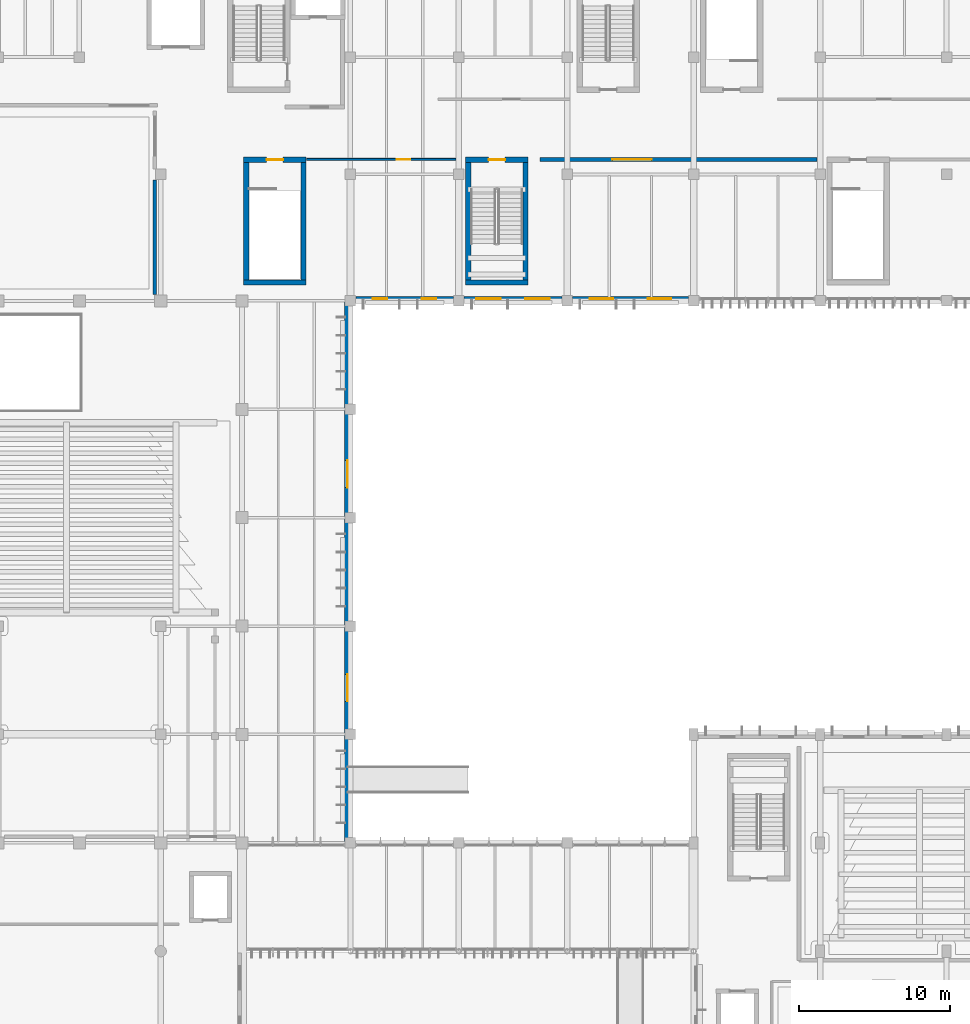
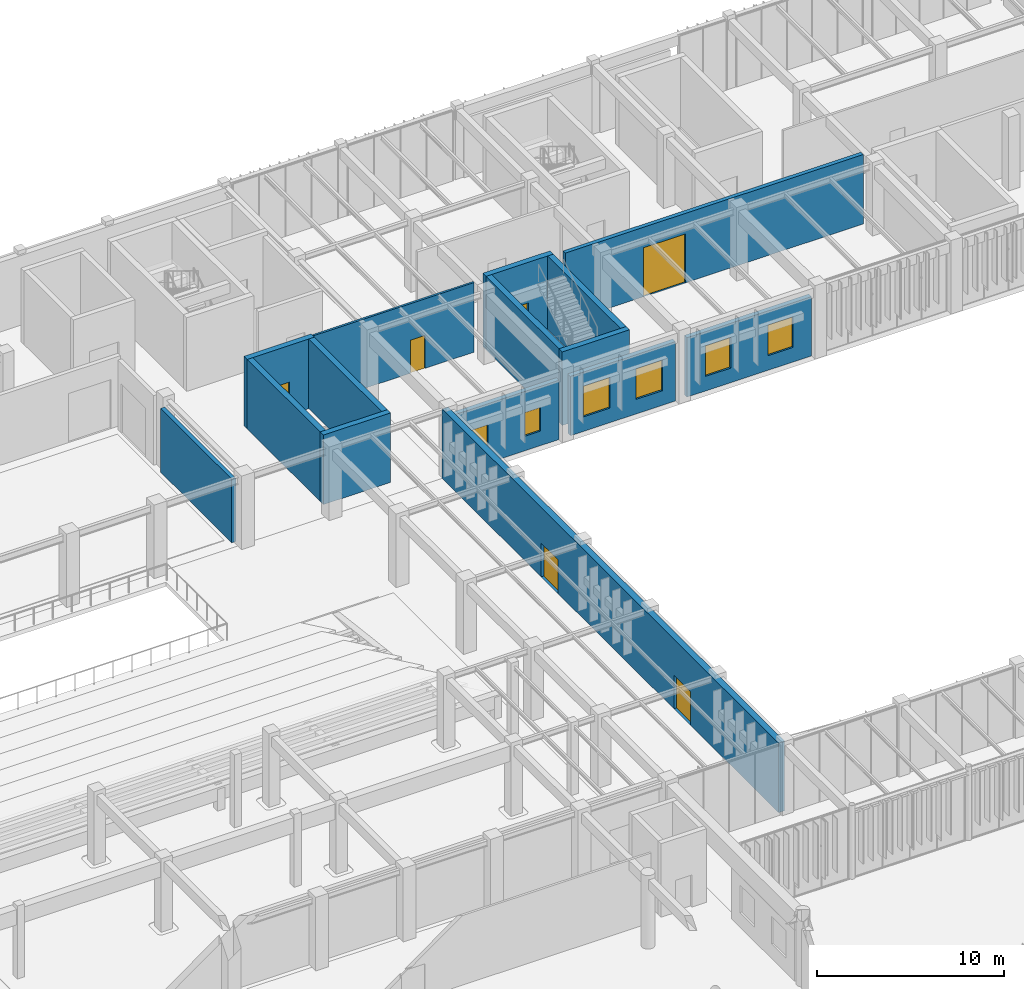
# One storey, part 38 of 122: 15 walls, 6 doors, 6 windows, 12 openings.
"""IFC4 building model written with IfcOpenShell, lengths in metres."""

from ifc_helpers import new_model, si_unit, direction, frame, frame_2d, origin, place, context, subcontext, project, spatial, rectangle, extrude, material, layer, layer_set, type_object, element, fill, save


model = new_model("IFC4")

# Units and contexts
model_context = context("Model", 3, precision=1e-05, world=origin(), true_north=direction((0.0, 1.0)))
body_context = subcontext(model_context, "Body", "Model", "MODEL_VIEW")
ifc_project = project(units=[si_unit("LENGTHUNIT", "METRE"), si_unit("AREAUNIT", "SQUARE_METRE"), si_unit("VOLUMEUNIT", "CUBIC_METRE"), si_unit("PLANEANGLEUNIT", "RADIAN"), si_unit("MASSUNIT", "GRAM", prefix="KILO")], contexts=[model_context])

# Site, building, storey
site_placement = place(None, origin())
site = spatial("IfcSite", under=ifc_project, at=site_placement, CompositionType="ELEMENT")
building_placement = place(site_placement, origin())
building = spatial("IfcBuilding", under=site, at=building_placement, Name="Tazoul Stagehouse", CompositionType="ELEMENT")
storey_placement = place(building_placement, origin())
storey = spatial("IfcBuildingStorey", under=building, at=storey_placement, Name="L00", CompositionType="ELEMENT", Elevation=0.0)

# Wall
ifc_material_1 = material(Name="Gypsum Acoustic Partition", Category="gypsum")
ifc_layer_1 = layer(ifc_material_1, 0.25, Name="Gypsum Acoustic Partition")
ifc_layer_set_1 = layer_set([ifc_layer_1], Name="Gypsum Acoustic Partition")
wall_type_1 = type_object("IfcWallType", Name="Acoustic Hall Double-Stud Partition 250", PredefinedType="PARTITIONING", material=ifc_layer_set_1)
wall_1_placement = place(storey_placement, frame((89.60009765625, 95.830078125, 0.0), z_axis=(0.0, 0.0, 1.0), x_axis=(0.0, -1.0, 0.0)))
element("IfcWall", 1, at=wall_1_placement, inside=storey, type_object=wall_type_1, Name="L00 Partition PW-250 (PW-RM-L00-020-E-S2)", PredefinedType="PARTITIONING", context=body_context, shape_type="SweptSolid", body=[
    extrude(rectangle(XDim=7.610107421875, YDim=0.25, at=frame_2d((3.80517578125, 0.0))), origin(), (0.0, 0.0, 1.0), 4.159912109375),
])

# Wall, opening, door
wall_2_placement = place(storey_placement, frame((115.199951171875, 97.199951171875, 0.0), z_axis=(0.0, 0.0, 1.0), x_axis=(1.0, 0.0, 0.0)))
wall_2 = element("IfcWall", 2, at=wall_2_placement, inside=storey, type_object=wall_type_1, Name="L00 Partition PW-250 (PW-RM-L00-021-N)", PredefinedType="PARTITIONING", context=body_context, shape_type="SweptSolid", body=[
    extrude(rectangle(XDim=18.400146484375, YDim=0.25, at=frame_2d((9.2001953125, 0.0))), origin(), (0.0, 0.0, 1.0), 4.5400390625),
])
opening_1_placement = place(wall_2_placement, frame((4.8056640625, 0.0, 0.0)))
opening_1 = element("IfcOpeningElement", 3, at=opening_1_placement, cuts=wall_2, Name="Opening ID-22", PredefinedType="OPENING", context=body_context, shape_type="SweptSolid", body=[
    extrude(rectangle(XDim=2.60009765625, YDim=3.199951171875, at=frame_2d((1.300048828125, 1.60009765625))), frame((0.0, 0.14501953125, 0.0), z_axis=(0.0, -1.0, 0.0), x_axis=(1.0, 0.0, 0.0)), (0.0, 0.0, 1.0), 0.2900390625),
])
ifc_material_2 = material(Name="Acoustic Cedar Timber", Category="wood")
door_type_1 = type_object("IfcDoorType", Name="Scenery Stage Acoustic Elephant Door 2600x3200", OperationType="DOUBLE_DOOR_SINGLE_SWING", PredefinedType="DOOR", material=ifc_material_2)
door_1_placement = place(opening_1_placement, origin())
door_1 = element("IfcDoor", 4, at=door_1_placement, inside=storey, type_object=door_type_1, Name="L00 Scenery Construction and Assembly Workshop Door", OperationType="DOUBLE_DOOR_SINGLE_SWING", OverallHeight=3.199951171875, OverallWidth=2.60009765625, PredefinedType="DOOR", context=body_context, shape_type="SweptSolid", body=[
    extrude(rectangle(XDim=2.60009765625, YDim=3.199951171875, at=frame_2d((1.300048828125, 1.60009765625))), frame((0.0, 0.02490234375, 0.0), z_axis=(0.0, -1.0, 0.0), x_axis=(1.0, 0.0, 0.0)), (0.0, 0.0, 1.0), 0.050048828125),
])
fill(opening_1, door_1)

# Wall, openings, doors
ifc_material_3 = material(Name="Concrete C40/50", Category="concrete")
ifc_layer_2 = layer(ifc_material_3, 0.3798828125, Name="Concrete C40/50")
ifc_layer_set_2 = layer_set([ifc_layer_2], Name="Concrete C40/50")
wall_type_2 = type_object("IfcWallType", Name="Auditorium Shell Acoustic Perimeter Wall 380", PredefinedType="SOLIDWALL", material=ifc_layer_set_2)
wall_3_placement = place(storey_placement, frame((102.409912109375, 87.800048828125, 0.0), z_axis=(0.0, 0.0, 1.0), x_axis=(0.0, -1.0, 0.0)))
wall_3 = element("IfcWall", 5, at=wall_3_placement, inside=storey, type_object=wall_type_2, Name="L00 Wall EW-380 (WALL-V1-E-L00-S1)", PredefinedType="SOLIDWALL", context=body_context, shape_type="SweptSolid", body=[
    extrude(rectangle(XDim=36.0, YDim=0.3798828125, at=frame_2d((18.0, 0.0))), origin(), (0.0, 0.0, 1.0), 4.5400390625),
])
opening_2_placement = place(wall_3_placement, frame((10.60009765625, 0.0, 0.0)))
opening_2 = element("IfcOpeningElement", 6, at=opening_2_placement, cuts=wall_3, Name="Opening ED-03", PredefinedType="OPENING", context=body_context, shape_type="SweptSolid", body=[
    extrude(rectangle(XDim=1.800048828125, YDim=2.199951171875, at=frame_2d((0.89990234375, 1.10009765625))), frame((0.0, 0.2099609375, 0.0), z_axis=(0.0, -1.0, 0.0), x_axis=(1.0, 0.0, 0.0)), (0.0, 0.0, 1.0), 0.419921875),
])
opening_3_placement = place(wall_3_placement, frame((24.800048828125, 0.0, 0.0)))
opening_3 = element("IfcOpeningElement", 7, at=opening_3_placement, cuts=wall_3, Name="Opening ED-03", PredefinedType="OPENING", context=body_context, shape_type="SweptSolid", body=[
    extrude(rectangle(XDim=1.800048828125, YDim=2.199951171875, at=frame_2d((0.89990234375, 1.10009765625))), frame((0.0, 0.2099609375, 0.0), z_axis=(0.0, -1.0, 0.0), x_axis=(1.0, 0.0, 0.0)), (0.0, 0.0, 1.0), 0.419921875),
])
ifc_material_4 = material(Name="Powder-Coated Galvanised Steel Leaf", Category="steel")
door_type_2 = type_object("IfcDoorType", Name="Perimeter Emergency Exit Double Door 1800x2200", OperationType="DOUBLE_DOOR_SINGLE_SWING", PredefinedType="DOOR", material=ifc_material_4)
door_2_placement = place(opening_2_placement, origin())
door_2 = element("IfcDoor", 8, at=door_2_placement, inside=storey, type_object=door_type_2, Name="L00 Door ED-03 (DR-V1-E-EXIT1)", OperationType="SINGLE_SWING_LEFT", OverallHeight=2.199951171875, OverallWidth=1.800048828125, PredefinedType="DOOR", context=body_context, shape_type="SweptSolid", body=[
    extrude(rectangle(XDim=1.800048828125, YDim=2.199951171875, at=frame_2d((0.89990234375, 1.10009765625))), frame((0.0, 0.02490234375, 0.0), z_axis=(0.0, -1.0, 0.0), x_axis=(1.0, 0.0, 0.0)), (0.0, 0.0, 1.0), 0.050048828125),
])
fill(opening_2, door_2)
door_3_placement = place(opening_3_placement, origin())
door_3 = element("IfcDoor", 9, at=door_3_placement, inside=storey, type_object=door_type_2, Name="L00 Door ED-03 (DR-V1-E-EXIT2)", OperationType="SINGLE_SWING_LEFT", OverallHeight=2.199951171875, OverallWidth=1.800048828125, PredefinedType="DOOR", context=body_context, shape_type="SweptSolid", body=[
    extrude(rectangle(XDim=1.800048828125, YDim=2.199951171875, at=frame_2d((0.89990234375, 1.10009765625))), frame((0.0, 0.02490234375, 0.0), z_axis=(0.0, -1.0, 0.0), x_axis=(1.0, 0.0, 0.0)), (0.0, 0.0, 1.0), 0.050048828125),
])
fill(opening_3, door_3)

# Walls
ifc_layer_3 = layer(ifc_material_3, 0.35009765625, Name="Concrete C40/50")
ifc_layer_set_3 = layer_set([ifc_layer_3], Name="Concrete C40/50")
wall_type_3 = type_object("IfcWallType", Name="Core Shear Wall 350", PredefinedType="SOLIDWALL", material=ifc_layer_set_3)
wall_4_placement = place(storey_placement, frame((99.64990234375, 89.02490234375, 0.0), z_axis=(0.0, 0.0, 1.0), x_axis=(-1.0, 0.0, 0.0)))
element("IfcWall", 10, at=wall_4_placement, inside=storey, type_object=wall_type_3, Name="L00 Core Wall CW-350 (SHF-ST-B1-south)", PredefinedType="SOLIDWALL", context=body_context, shape_type="SweptSolid", body=[
    extrude(rectangle(XDim=4.14990234375, YDim=0.35009765625, at=frame_2d((2.074951171875, 0.0))), origin(), (0.0, 0.0, 1.0), 4.5400390625),
])
wall_5_placement = place(storey_placement, frame((95.675048828125, 89.199951171875, 0.0), z_axis=(0.0, 0.0, 1.0), x_axis=(0.0, 1.0, 0.0)))
element("IfcWall", 11, at=wall_5_placement, inside=storey, type_object=wall_type_3, Name="L00 Core Wall CW-350 (SHF-ST-B1-west)", PredefinedType="SOLIDWALL", context=body_context, shape_type="SweptSolid", body=[
    extrude(rectangle(XDim=7.800048828125, YDim=0.35009765625, at=frame_2d((3.89990234375, 0.0))), origin(), (0.0, 0.0, 1.0), 4.5400390625),
])

# Wall, opening, door
wall_6_placement = place(storey_placement, frame((95.5, 97.175048828125, 0.0), z_axis=(0.0, 0.0, 1.0), x_axis=(1.0, 0.0, 0.0)))
wall_6 = element("IfcWall", 12, at=wall_6_placement, inside=storey, type_object=wall_type_3, Name="L00 Core Wall CW-350 (SHF-ST-B1-north)", PredefinedType="SOLIDWALL", context=body_context, shape_type="SweptSolid", body=[
    extrude(rectangle(XDim=4.14990234375, YDim=0.35009765625, at=frame_2d((2.074951171875, 0.0))), origin(), (0.0, 0.0, 1.0), 4.5400390625),
])
opening_4_placement = place(wall_6_placement, frame((1.52490234375, 0.0, 0.0)))
opening_4 = element("IfcOpeningElement", 13, at=opening_4_placement, cuts=wall_6, Name="Opening FD-01", PredefinedType="OPENING", context=body_context, shape_type="SweptSolid", body=[
    extrude(rectangle(XDim=1.10009765625, YDim=2.14990234375, at=frame_2d((0.550048828125, 1.074951171875))), frame((0.0, 0.195068359375, 0.0), z_axis=(0.0, -1.0, 0.0), x_axis=(1.0, 0.0, 0.0)), (0.0, 0.0, 1.0), 0.39013671875),
])
ifc_material_5 = material(Name="Powder-Coated Galvanised Acoustic Steel", Category="steel")
door_type_3 = type_object("IfcDoorType", Name="Core Escape Stair Fire Door 1100x2150", OperationType="NOTDEFINED", PredefinedType="DOOR", material=ifc_material_5)
door_4_placement = place(opening_4_placement, origin())
door_4 = element("IfcDoor", 14, at=door_4_placement, inside=storey, type_object=door_type_3, Name="L00 Basement Stair Fire Door FD-01 (ST-B1)", OperationType="SINGLE_SWING_LEFT", OverallHeight=2.14990234375, OverallWidth=1.10009765625, PredefinedType="DOOR", context=body_context, shape_type="SweptSolid", body=[
    extrude(rectangle(XDim=1.10009765625, YDim=2.14990234375, at=frame_2d((0.550048828125, 1.074951171875))), frame((0.0, 0.02490234375, 0.0), z_axis=(0.0, -1.0, 0.0), x_axis=(1.0, 0.0, 0.0)), (0.0, 0.0, 1.0), 0.050048828125),
])
fill(opening_4, door_4)

# Walls
wall_7_placement = place(storey_placement, frame((99.47509765625, 97.0, 0.0), z_axis=(0.0, 0.0, 1.0), x_axis=(0.0, -1.0, 0.0)))
element("IfcWall", 15, at=wall_7_placement, inside=storey, type_object=wall_type_3, Name="L00 Core Wall CW-350 (SHF-ST-B1-east)", PredefinedType="SOLIDWALL", context=body_context, shape_type="SweptSolid", body=[
    extrude(rectangle(XDim=7.800048828125, YDim=0.35009765625, at=frame_2d((3.89990234375, 0.0))), origin(), (0.0, 0.0, 1.0), 4.5400390625),
])
wall_8_placement = place(storey_placement, frame((114.39990234375, 89.02490234375, 0.0), z_axis=(0.0, 0.0, 1.0), x_axis=(-1.0, 0.0, 0.0)))
element("IfcWall", 16, at=wall_8_placement, inside=storey, type_object=wall_type_3, Name="L00 Core Wall CW-350 (SHF-ST-04-south)", PredefinedType="SOLIDWALL", context=body_context, shape_type="SweptSolid", body=[
    extrude(rectangle(XDim=4.14990234375, YDim=0.35009765625, at=frame_2d((2.074951171875, 0.0))), origin(), (0.0, 0.0, 1.0), 4.800048828125),
])
wall_9_placement = place(storey_placement, frame((110.425048828125, 89.199951171875, 0.0), z_axis=(0.0, 0.0, 1.0), x_axis=(0.0, 1.0, 0.0)))
element("IfcWall", 17, at=wall_9_placement, inside=storey, type_object=wall_type_3, Name="L00 Core Wall CW-350 (SHF-ST-04-west)", PredefinedType="SOLIDWALL", context=body_context, shape_type="SweptSolid", body=[
    extrude(rectangle(XDim=7.800048828125, YDim=0.35009765625, at=frame_2d((3.89990234375, 0.0))), origin(), (0.0, 0.0, 1.0), 4.800048828125),
])

# Wall, opening, door
wall_10_placement = place(storey_placement, frame((110.25, 97.175048828125, 0.0), z_axis=(0.0, 0.0, 1.0), x_axis=(1.0, 0.0, 0.0)))
wall_10 = element("IfcWall", 18, at=wall_10_placement, inside=storey, type_object=wall_type_3, Name="L00 Core Wall CW-350 (SHF-ST-04-north)", PredefinedType="SOLIDWALL", context=body_context, shape_type="SweptSolid", body=[
    extrude(rectangle(XDim=4.14990234375, YDim=0.35009765625, at=frame_2d((2.074951171875, 0.0))), origin(), (0.0, 0.0, 1.0), 4.800048828125),
])
opening_5_placement = place(wall_10_placement, frame((1.52490234375, 0.0, 0.0)))
opening_5 = element("IfcOpeningElement", 19, at=opening_5_placement, cuts=wall_10, Name="Opening FD-01", PredefinedType="OPENING", context=body_context, shape_type="SweptSolid", body=[
    extrude(rectangle(XDim=1.10009765625, YDim=2.14990234375, at=frame_2d((0.550048828125, 1.074951171875))), frame((0.0, 0.195068359375, 0.0), z_axis=(0.0, -1.0, 0.0), x_axis=(1.0, 0.0, 0.0)), (0.0, 0.0, 1.0), 0.39013671875),
])
door_5_placement = place(opening_5_placement, origin())
door_5 = element("IfcDoor", 20, at=door_5_placement, inside=storey, type_object=door_type_3, Name="L00 Escape Stair Fire Door FD-01 (ST-04)", OperationType="SINGLE_SWING_RIGHT", OverallHeight=2.14990234375, OverallWidth=1.10009765625, PredefinedType="DOOR", context=body_context, shape_type="SweptSolid", body=[
    extrude(rectangle(XDim=1.10009765625, YDim=2.14990234375, at=frame_2d((0.550048828125, 1.074951171875))), frame((0.0, 0.02490234375, 0.0), z_axis=(0.0, -1.0, 0.0), x_axis=(1.0, 0.0, 0.0)), (0.0, 0.0, 1.0), 0.050048828125),
])
fill(opening_5, door_5)

# Wall
wall_11_placement = place(storey_placement, frame((114.22509765625, 97.0, 0.0), z_axis=(0.0, 0.0, 1.0), x_axis=(0.0, -1.0, 0.0)))
element("IfcWall", 21, at=wall_11_placement, inside=storey, type_object=wall_type_3, Name="L00 Core Wall CW-350 (SHF-ST-04-east)", PredefinedType="SOLIDWALL", context=body_context, shape_type="SweptSolid", body=[
    extrude(rectangle(XDim=7.800048828125, YDim=0.35009765625, at=frame_2d((3.89990234375, 0.0))), origin(), (0.0, 0.0, 1.0), 4.800048828125),
])

# Wall, openings, windows
ifc_material_6 = material(Name="Precast concrete C40/50", Category="concrete")
ifc_layer_4 = layer(ifc_material_6, 0.280029296875, Name="Precast concrete C40/50")
ifc_layer_set_4 = layer_set([ifc_layer_4], Name="Precast concrete C40/50")
wall_type_4 = type_object("IfcWallType", Name="Insulated Precast Acoustic Cladding Wall 280", PredefinedType="SOLIDWALL", material=ifc_layer_set_4)
wall_12_placement = place(storey_placement, frame((102.955078125, 87.949951171875, 0.0), z_axis=(0.0, 0.0, 1.0), x_axis=(1.0, 0.0, 0.0)))
wall_12 = element("IfcWall", 22, at=wall_12_placement, inside=storey, type_object=wall_type_4, Name="L00 Wall EW-280 (WALL-V3-S1-L00-S1)", PredefinedType="SOLIDWALL", context=body_context, shape_type="SweptSolid", body=[
    extrude(rectangle(XDim=6.489990234375, YDim=0.280029296875, at=frame_2d((3.2451171875, 0.0))), origin(), (0.0, 0.0, 1.0), 3.873046875),
])
opening_6_placement = place(wall_12_placement, frame((1.142578125, 0.0, 0.949951171875)))
opening_6 = element("IfcOpeningElement", 23, at=opening_6_placement, cuts=wall_12, Name="Opening WN-35", PredefinedType="OPENING", context=body_context, shape_type="SweptSolid", body=[
    extrude(rectangle(XDim=0.9599609375, YDim=1.550048828125, at=frame_2d((0.47998046875, 0.77490234375))), frame((0.0, 0.159912109375, 0.0), z_axis=(0.0, -1.0, 0.0), x_axis=(1.0, 0.0, 0.0)), (0.0, 0.0, 1.0), 0.320068359375),
])
opening_7_placement = place(wall_12_placement, frame((4.387451171875, 0.0, 0.949951171875)))
opening_7 = element("IfcOpeningElement", 24, at=opening_7_placement, cuts=wall_12, Name="Opening WN-35", PredefinedType="OPENING", context=body_context, shape_type="SweptSolid", body=[
    extrude(rectangle(XDim=0.9599609375, YDim=1.550048828125, at=frame_2d((0.47998046875, 0.77490234375))), frame((0.0, 0.159912109375, 0.0), z_axis=(0.0, -1.0, 0.0), x_axis=(1.0, 0.0, 0.0)), (0.0, 0.0, 1.0), 0.320068359375),
])
ifc_material_7 = material(Name="Double Low-E Acoustic Laminated Glass", Category="glass")
window_type_1 = type_object("IfcWindowType", Name="Architectural Acoustic Facade Window 960x1550", PartitioningType="SINGLE_PANEL", PredefinedType="WINDOW", material=ifc_material_7)
window_1_placement = place(opening_6_placement, origin())
window_1 = element("IfcWindow", 25, at=window_1_placement, inside=storey, type_object=window_type_1, Name="L00 Window WN-35 (WALL-V3-S1-L00-S1-W1)", OverallHeight=1.550048828125, OverallWidth=0.9599609375, PartitioningType="SINGLE_PANEL", PredefinedType="WINDOW", context=body_context, shape_type="SweptSolid", body=[
    extrude(rectangle(XDim=0.9599609375, YDim=1.550048828125, at=frame_2d((0.47998046875, 0.77490234375))), frame((0.0, 0.030029296875, 0.0), z_axis=(0.0, -1.0, 0.0), x_axis=(1.0, 0.0, 0.0)), (0.0, 0.0, 1.0), 0.06005859375),
])
fill(opening_6, window_1)
window_2_placement = place(opening_7_placement, origin())
window_2 = element("IfcWindow", 26, at=window_2_placement, inside=storey, type_object=window_type_1, Name="L00 Window WN-35 (WALL-V3-S1-L00-S1-W2)", OverallHeight=1.550048828125, OverallWidth=0.9599609375, PartitioningType="SINGLE_PANEL", PredefinedType="WINDOW", context=body_context, shape_type="SweptSolid", body=[
    extrude(rectangle(XDim=0.9599609375, YDim=1.550048828125, at=frame_2d((0.47998046875, 0.77490234375))), frame((0.0, 0.030029296875, 0.0), z_axis=(0.0, -1.0, 0.0), x_axis=(1.0, 0.0, 0.0)), (0.0, 0.0, 1.0), 0.06005859375),
])
fill(opening_7, window_2)

wall_13_placement = place(storey_placement, frame((110.155029296875, 87.949951171875, 0.0), z_axis=(0.0, 0.0, 1.0), x_axis=(1.0, 0.0, 0.0)))
wall_13 = element("IfcWall", 27, at=wall_13_placement, inside=storey, type_object=wall_type_4, Name="L00 Wall EW-280 (WALL-V3-S1-L00-S2)", PredefinedType="SOLIDWALL", context=body_context, shape_type="SweptSolid", body=[
    extrude(rectangle(XDim=6.489990234375, YDim=0.280029296875, at=frame_2d((3.2451171875, 0.0))), origin(), (0.0, 0.0, 1.0), 3.873046875),
])
opening_8_placement = place(wall_13_placement, frame((0.8125, 0.0, 0.949951171875)))
opening_8 = element("IfcOpeningElement", 28, at=opening_8_placement, cuts=wall_13, Name="Opening WN-82", PredefinedType="OPENING", context=body_context, shape_type="SweptSolid", body=[
    extrude(rectangle(XDim=1.6201171875, YDim=2.0, at=frame_2d((0.81005859375, 1.0))), frame((0.0, 0.159912109375, 0.0), z_axis=(0.0, -1.0, 0.0), x_axis=(1.0, 0.0, 0.0)), (0.0, 0.0, 1.0), 0.320068359375),
])
opening_9_placement = place(wall_13_placement, frame((4.0576171875, 0.0, 0.949951171875)))
opening_9 = element("IfcOpeningElement", 29, at=opening_9_placement, cuts=wall_13, Name="Opening WN-82", PredefinedType="OPENING", context=body_context, shape_type="SweptSolid", body=[
    extrude(rectangle(XDim=1.6201171875, YDim=2.0, at=frame_2d((0.81005859375, 1.0))), frame((0.0, 0.159912109375, 0.0), z_axis=(0.0, -1.0, 0.0), x_axis=(1.0, 0.0, 0.0)), (0.0, 0.0, 1.0), 0.320068359375),
])
window_type_2 = type_object("IfcWindowType", Name="Architectural Acoustic Facade Window 1620x2000", PartitioningType="SINGLE_PANEL", PredefinedType="WINDOW", material=ifc_material_7)
window_3_placement = place(opening_8_placement, origin())
window_3 = element("IfcWindow", 30, at=window_3_placement, inside=storey, type_object=window_type_2, Name="L00 Window WN-82 (WALL-V3-S1-L00-S2-W1)", OverallHeight=2.0, OverallWidth=1.6201171875, PartitioningType="SINGLE_PANEL", PredefinedType="WINDOW", context=body_context, shape_type="SweptSolid", body=[
    extrude(rectangle(XDim=1.6201171875, YDim=2.0, at=frame_2d((0.81005859375, 1.0))), frame((0.0, 0.030029296875, 0.0), z_axis=(0.0, -1.0, 0.0), x_axis=(1.0, 0.0, 0.0)), (0.0, 0.0, 1.0), 0.06005859375),
])
fill(opening_8, window_3)
window_4_placement = place(opening_9_placement, origin())
window_4 = element("IfcWindow", 31, at=window_4_placement, inside=storey, type_object=window_type_2, Name="L00 Window WN-82 (WALL-V3-S1-L00-S2-W2)", OverallHeight=2.0, OverallWidth=1.6201171875, PartitioningType="SINGLE_PANEL", PredefinedType="WINDOW", context=body_context, shape_type="SweptSolid", body=[
    extrude(rectangle(XDim=1.6201171875, YDim=2.0, at=frame_2d((0.81005859375, 1.0))), frame((0.0, 0.030029296875, 0.0), z_axis=(0.0, -1.0, 0.0), x_axis=(1.0, 0.0, 0.0)), (0.0, 0.0, 1.0), 0.06005859375),
])
fill(opening_9, window_4)

wall_14_placement = place(storey_placement, frame((117.35498046875, 87.949951171875, 0.0), z_axis=(0.0, 0.0, 1.0), x_axis=(1.0, 0.0, 0.0)))
wall_14 = element("IfcWall", 32, at=wall_14_placement, inside=storey, type_object=wall_type_4, Name="L00 Wall EW-280 (WALL-V3-S1-L00-S3)", PredefinedType="SOLIDWALL", context=body_context, shape_type="SweptSolid", body=[
    extrude(rectangle(XDim=7.68994140625, YDim=0.280029296875, at=frame_2d((3.844970703125, 0.0))), origin(), (0.0, 0.0, 1.0), 3.873046875),
])
opening_10_placement = place(wall_14_placement, frame((1.142578125, 0.0, 0.949951171875)))
opening_10 = element("IfcOpeningElement", 33, at=opening_10_placement, cuts=wall_14, Name="Opening WN-80", PredefinedType="OPENING", context=body_context, shape_type="SweptSolid", body=[
    extrude(rectangle(XDim=1.56005859375, YDim=2.0, at=frame_2d((0.780029296875, 1.0))), frame((0.0, 0.159912109375, 0.0), z_axis=(0.0, -1.0, 0.0), x_axis=(1.0, 0.0, 0.0)), (0.0, 0.0, 1.0), 0.320068359375),
])
opening_11_placement = place(wall_14_placement, frame((4.987548828125, 0.0, 0.949951171875)))
opening_11 = element("IfcOpeningElement", 34, at=opening_11_placement, cuts=wall_14, Name="Opening WN-80", PredefinedType="OPENING", context=body_context, shape_type="SweptSolid", body=[
    extrude(rectangle(XDim=1.56005859375, YDim=2.0, at=frame_2d((0.780029296875, 1.0))), frame((0.0, 0.159912109375, 0.0), z_axis=(0.0, -1.0, 0.0), x_axis=(1.0, 0.0, 0.0)), (0.0, 0.0, 1.0), 0.320068359375),
])
window_type_3 = type_object("IfcWindowType", Name="Architectural Acoustic Facade Window 1560x2000", PartitioningType="SINGLE_PANEL", PredefinedType="WINDOW", material=ifc_material_7)
window_5_placement = place(opening_10_placement, origin())
window_5 = element("IfcWindow", 35, at=window_5_placement, inside=storey, type_object=window_type_3, Name="L00 Window WN-80 (WALL-V3-S1-L00-S3-W1)", OverallHeight=2.0, OverallWidth=1.56005859375, PartitioningType="SINGLE_PANEL", PredefinedType="WINDOW", context=body_context, shape_type="SweptSolid", body=[
    extrude(rectangle(XDim=1.56005859375, YDim=2.0, at=frame_2d((0.780029296875, 1.0))), frame((0.0, 0.030029296875, 0.0), z_axis=(0.0, -1.0, 0.0), x_axis=(1.0, 0.0, 0.0)), (0.0, 0.0, 1.0), 0.06005859375),
])
fill(opening_10, window_5)
window_6_placement = place(opening_11_placement, origin())
window_6 = element("IfcWindow", 36, at=window_6_placement, inside=storey, type_object=window_type_3, Name="L00 Window WN-80 (WALL-V3-S1-L00-S3-W2)", OverallHeight=2.0, OverallWidth=1.56005859375, PartitioningType="SINGLE_PANEL", PredefinedType="WINDOW", context=body_context, shape_type="SweptSolid", body=[
    extrude(rectangle(XDim=1.56005859375, YDim=2.0, at=frame_2d((0.780029296875, 1.0))), frame((0.0, 0.030029296875, 0.0), z_axis=(0.0, -1.0, 0.0), x_axis=(1.0, 0.0, 0.0)), (0.0, 0.0, 1.0), 0.06005859375),
])
fill(opening_11, window_6)

# Wall, opening, door
ifc_layer_5 = layer(ifc_material_1, 0.1298828125, Name="Gypsum Acoustic Partition")
ifc_layer_set_5 = layer_set([ifc_layer_5], Name="Gypsum Acoustic Partition")
wall_type_5 = type_object("IfcWallType", Name="Office Drywall Partition 130", PredefinedType="PARTITIONING", material=ifc_layer_set_5)
wall_15_placement = place(storey_placement, frame((99.68994140625, 97.199951171875, 0.0), z_axis=(0.0, 0.0, 1.0), x_axis=(1.0, 0.0, 0.0)))
wall_15 = element("IfcWall", 37, at=wall_15_placement, inside=storey, type_object=wall_type_5, Name="L00 Partition PW-130 (PW-RM-L00-025-N)", PredefinedType="PARTITIONING", context=body_context, shape_type="SweptSolid", body=[
    extrude(rectangle(XDim=9.91015625, YDim=0.1298828125, at=frame_2d((4.955078125, 0.0))), origin(), (0.0, 0.0, 1.0), 4.5400390625),
])
opening_12_placement = place(wall_15_placement, frame((5.971435546875, 0.0, 0.0)))
opening_12 = element("IfcOpeningElement", 38, at=opening_12_placement, cuts=wall_15, Name="Opening ID-05", PredefinedType="OPENING", context=body_context, shape_type="SweptSolid", body=[
    extrude(rectangle(XDim=0.89990234375, YDim=2.14990234375, at=frame_2d((0.449951171875, 1.074951171875))), frame((0.0, 0.0849609375, 0.0), z_axis=(0.0, -1.0, 0.0), x_axis=(1.0, 0.0, 0.0)), (0.0, 0.0, 1.0), 0.169921875),
])
door_type_4 = type_object("IfcDoorType", Name="Office Timber Acoustic Door 900x2150", OperationType="NOTDEFINED", PredefinedType="DOOR", material=ifc_material_2)
door_6_placement = place(opening_12_placement, origin())
door_6 = element("IfcDoor", 39, at=door_6_placement, inside=storey, type_object=door_type_4, Name="L00 Stage Crew Lounge and First-Aid Room Door", OperationType="SINGLE_SWING_LEFT", OverallHeight=2.14990234375, OverallWidth=0.89990234375, PredefinedType="DOOR", context=body_context, shape_type="SweptSolid", body=[
    extrude(rectangle(XDim=0.89990234375, YDim=2.14990234375, at=frame_2d((0.449951171875, 1.074951171875))), frame((0.0, 0.02490234375, 0.0), z_axis=(0.0, -1.0, 0.0), x_axis=(1.0, 0.0, 0.0)), (0.0, 0.0, 1.0), 0.050048828125),
])
fill(opening_12, door_6)

save(model, "model.ifc")
